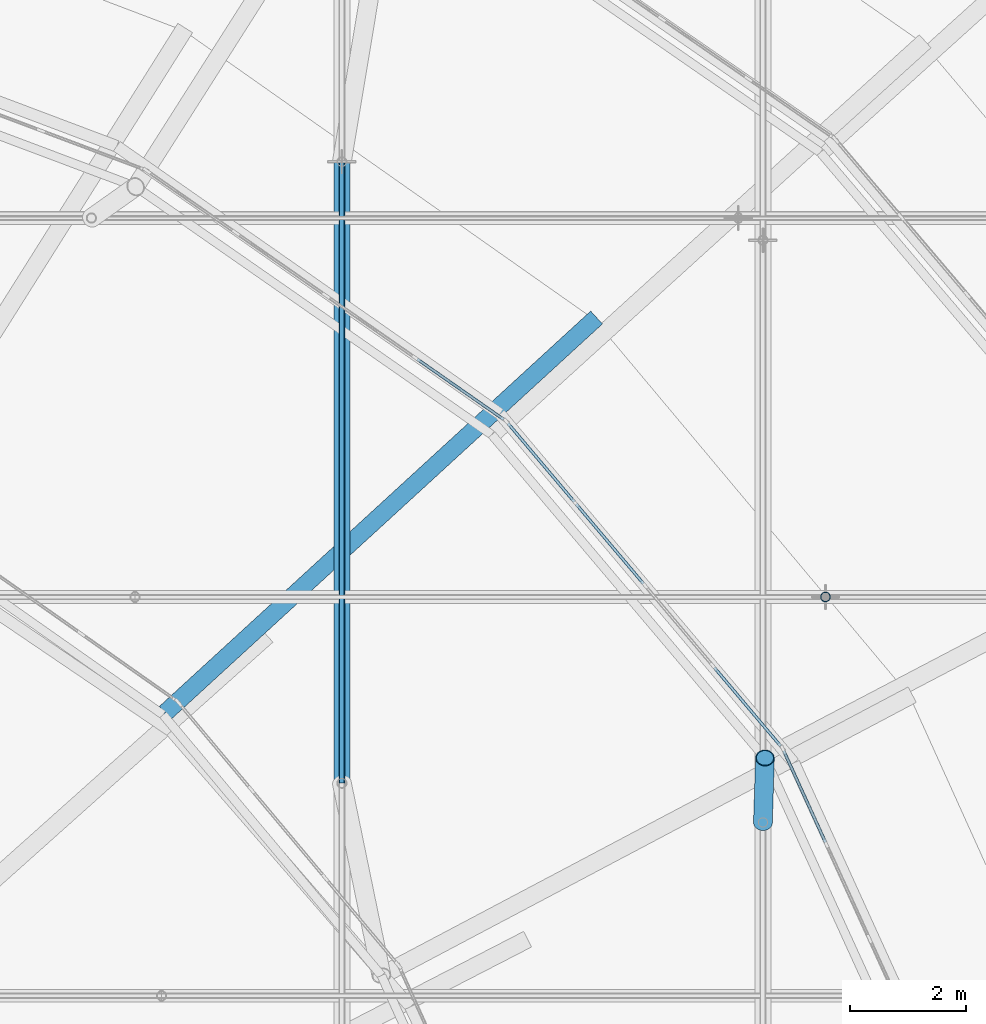
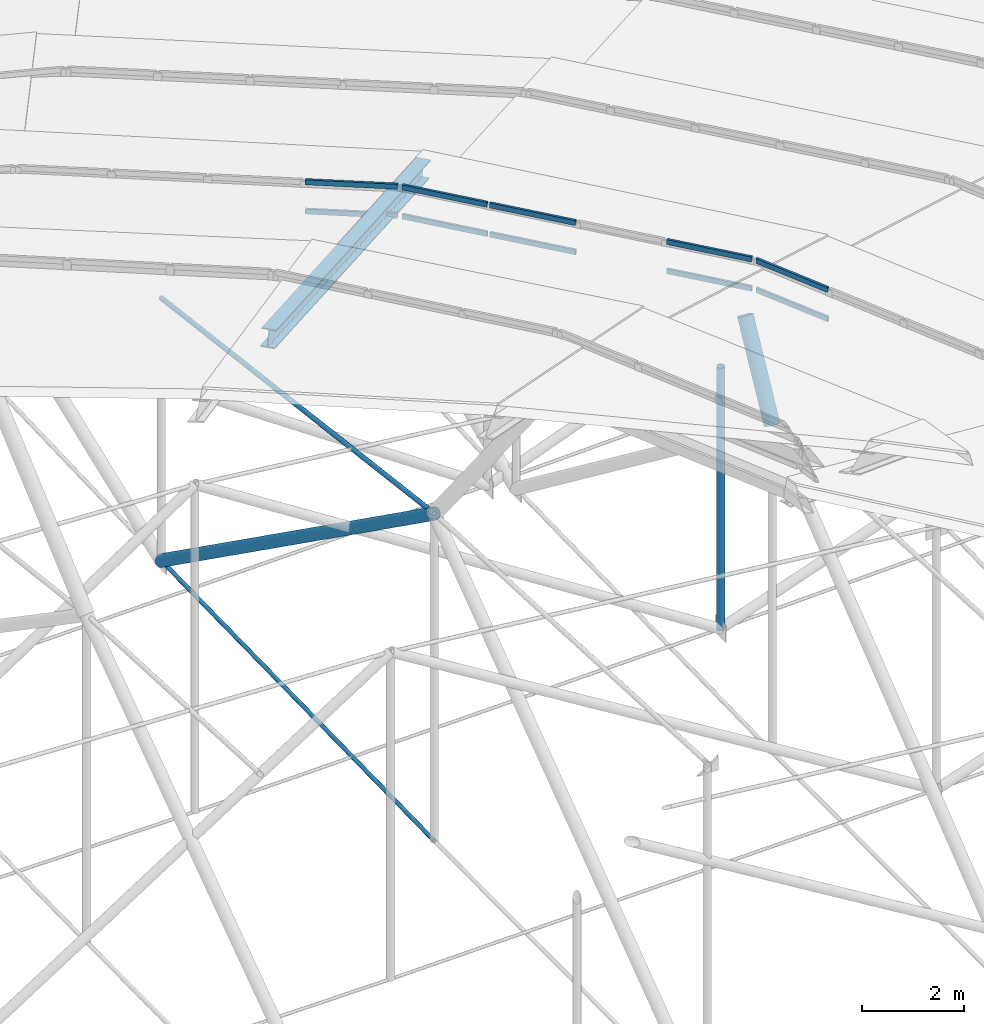
# One storey, part 94 of 173: 16 members, 3 elements without a shape of their own.
"""IFC4 building model written with IfcOpenShell, lengths in metres."""

from ifc_helpers import new_model, si_unit, direction, frame, origin, origin_2d, place, context, subcontext, project, spatial, rectangle, circle, hollow_circle, i_section, extrude, material, material_profile, profile_set, type_object, element, aggregate, save


model = new_model("IFC4")

# Units and contexts
model_context = context("Model", 3, precision=1e-05, world=origin(), true_north=direction((0.0, 1.0)))
body_context = subcontext(model_context, "Body", "Model", "MODEL_VIEW")
ifc_project = project(units=[si_unit("LENGTHUNIT", "METRE"), si_unit("AREAUNIT", "SQUARE_METRE"), si_unit("VOLUMEUNIT", "CUBIC_METRE"), si_unit("PLANEANGLEUNIT", "RADIAN"), si_unit("MASSUNIT", "GRAM", prefix="KILO")], contexts=[model_context])

# Site, building, storey
site_placement = place(None, origin())
site = spatial("IfcSite", under=ifc_project, at=site_placement, CompositionType="ELEMENT")
building_placement = place(site_placement, origin())
building = spatial("IfcBuilding", under=site, at=building_placement, Name="Glasvene Arena", CompositionType="ELEMENT")
storey_placement = place(building_placement, frame((0.0, 0.0, 28.800048828125)))
storey = spatial("IfcBuildingStorey", under=building, at=storey_placement, Name="RF", CompositionType="ELEMENT", Elevation=28.800048828125)

# Curtain wall, members
ifc_material_1 = material(Name="Low-emissivity laminated double glazing", Category="glass")
curtain_wall_type_1 = type_object("IfcCurtainWallType", Name="CW-PET3-721x75", PredefinedType="USERDEFINED", material=ifc_material_1)
curtain_wall_1_placement = place(storey_placement, frame((118.029541015625, 77.739990234375, 0.0)))
curtain_wall_1 = element("IfcCurtainWall", 1, at=curtain_wall_1_placement, inside=storey, type_object=curtain_wall_type_1, Name="Petal ring 3-4 clerestory curtain wall 02", ObjectType="CURTAIN WALL", PredefinedType="USERDEFINED")
ifc_material_2 = material(Name="Anodised architectural aluminium", Category="aluminium")
ifc_material_profile_1 = material_profile(ifc_material_2, rectangle(XDim=0.050048828125, YDim=0.1201171875, at=origin_2d()), Name="ALU TRANSOM 50x120")
ifc_profile_set_1 = profile_set([ifc_material_profile_1], Name="Anodised architectural aluminium")
member_type_1 = type_object("IfcMemberType", Name="CW-TRN-120", PredefinedType="USERDEFINED", material=ifc_profile_set_1)
member_1_placement = place(storey_placement, frame((115.775146484375, 82.6826171875, 7.85498046875), z_axis=(-0.41493129329, 0.909852747344, 0.0), x_axis=(-0.909852747344, -0.41493129329, 0.0)))
member_1 = element("IfcMember", 2, at=member_1_placement, type_object=member_type_1, Name="CW-094 transom 4.1", ObjectType="TRANSOM", PredefinedType="USERDEFINED", context=body_context, shape_type="SweptSolid", body=[
    extrude(rectangle(XDim=0.050048828125, YDim=0.1201171875, at=origin_2d()), origin(), (0.0, 0.0, 1.0), 1.7275390625),
])
member_2_placement = place(storey_placement, frame((115.775146484375, 82.6826171875, 8.554931640625), z_axis=(-0.41493129329, 0.909852747344, 0.0), x_axis=(-0.909852747344, -0.41493129329, 0.0)))
member_2 = element("IfcMember", 3, at=member_2_placement, type_object=member_type_1, Name="CW-094 transom 4.2", ObjectType="TRANSOM", PredefinedType="USERDEFINED", context=body_context, shape_type="SweptSolid", body=[
    extrude(rectangle(XDim=0.050048828125, YDim=0.1201171875, at=origin_2d()), origin(), (0.0, 0.0, 1.0), 1.7275390625),
])
aggregate(curtain_wall_1, [member_1, member_2])

curtain_wall_type_2 = type_object("IfcCurtainWallType", Name="CW-PET3-737x75", PredefinedType="USERDEFINED", material=ifc_material_1)
curtain_wall_2_placement = place(storey_placement, frame((115.03759765625, 84.300048828125, 0.0)))
curtain_wall_2 = element("IfcCurtainWall", 4, at=curtain_wall_2_placement, inside=storey, type_object=curtain_wall_type_2, Name="Petal ring 3-4 clerestory curtain wall 03", ObjectType="CURTAIN WALL", PredefinedType="USERDEFINED")
member_3_placement = place(storey_placement, frame((115.005126953125, 84.338134765625, 7.85498046875), z_axis=(-0.645329428667, 0.763904397485, 0.0), x_axis=(-0.763904397485, -0.645329428667, 0.0)))
member_3 = element("IfcMember", 5, at=member_3_placement, type_object=member_type_1, Name="CW-095 transom 1.1", ObjectType="TRANSOM", PredefinedType="USERDEFINED", context=body_context, shape_type="SweptSolid", body=[
    extrude(rectangle(XDim=0.050048828125, YDim=0.1201171875, at=origin_2d()), origin(), (0.0, 0.0, 1.0), 1.7685546875),
])
member_4_placement = place(storey_placement, frame((115.005126953125, 84.338134765625, 8.554931640625), z_axis=(-0.645329428667, 0.763904397485, 0.0), x_axis=(-0.763904397485, -0.645329428667, 0.0)))
member_4 = element("IfcMember", 6, at=member_4_placement, type_object=member_type_1, Name="CW-095 transom 1.2", ObjectType="TRANSOM", PredefinedType="USERDEFINED", context=body_context, shape_type="SweptSolid", body=[
    extrude(rectangle(XDim=0.050048828125, YDim=0.1201171875, at=origin_2d()), origin(), (0.0, 0.0, 1.0), 1.7685546875),
])
member_5_placement = place(storey_placement, frame((112.6416015625, 87.1357421875, 7.85498046875), z_axis=(-0.645417374568, 0.763830094069, 0.0), x_axis=(-0.763830094069, -0.645417374568, 0.0)))
member_5 = element("IfcMember", 7, at=member_5_placement, type_object=member_type_1, Name="CW-095 transom 3.1", ObjectType="TRANSOM", PredefinedType="USERDEFINED", context=body_context, shape_type="SweptSolid", body=[
    extrude(rectangle(XDim=0.050048828125, YDim=0.1201171875, at=origin_2d()), origin(), (0.0, 0.0, 1.0), 1.793701171875),
])
member_6_placement = place(storey_placement, frame((112.6416015625, 87.1357421875, 8.554931640625), z_axis=(-0.645417374568, 0.763830094069, 0.0), x_axis=(-0.763830094069, -0.645417374568, 0.0)))
member_6 = element("IfcMember", 8, at=member_6_placement, type_object=member_type_1, Name="CW-095 transom 3.2", ObjectType="TRANSOM", PredefinedType="USERDEFINED", context=body_context, shape_type="SweptSolid", body=[
    extrude(rectangle(XDim=0.050048828125, YDim=0.1201171875, at=origin_2d()), origin(), (0.0, 0.0, 1.0), 1.793701171875),
])
member_7_placement = place(storey_placement, frame((111.45166015625, 88.544189453125, 7.85498046875), z_axis=(-0.645478019952, 0.763778846106, 0.0), x_axis=(-0.763778846106, -0.645478019952, 0.0)))
member_7 = element("IfcMember", 9, at=member_7_placement, type_object=member_type_1, Name="CW-095 transom 4.1", ObjectType="TRANSOM", PredefinedType="USERDEFINED", context=body_context, shape_type="SweptSolid", body=[
    extrude(rectangle(XDim=0.050048828125, YDim=0.1201171875, at=origin_2d()), origin(), (0.0, 0.0, 1.0), 1.7685546875),
])
member_8_placement = place(storey_placement, frame((111.45166015625, 88.544189453125, 8.554931640625), z_axis=(-0.645478019952, 0.763778846106, 0.0), x_axis=(-0.763778846106, -0.645478019952, 0.0)))
member_8 = element("IfcMember", 10, at=member_8_placement, type_object=member_type_1, Name="CW-095 transom 4.2", ObjectType="TRANSOM", PredefinedType="USERDEFINED", context=body_context, shape_type="SweptSolid", body=[
    extrude(rectangle(XDim=0.050048828125, YDim=0.1201171875, at=origin_2d()), origin(), (0.0, 0.0, 1.0), 1.7685546875),
])
aggregate(curtain_wall_2, [member_3, member_4, member_5, member_6, member_7, member_8])

curtain_wall_type_3 = type_object("IfcCurtainWallType", Name="CW-PET3-756x75", PredefinedType="USERDEFINED", material=ifc_material_1)
curtain_wall_3_placement = place(storey_placement, frame((110.27783203125, 89.933349609375, 0.0)))
curtain_wall_3 = element("IfcCurtainWall", 11, at=curtain_wall_3_placement, inside=storey, type_object=curtain_wall_type_3, Name="Petal ring 3-4 clerestory curtain wall 04", ObjectType="CURTAIN WALL", PredefinedType="USERDEFINED")
member_9_placement = place(storey_placement, frame((110.23681640625, 89.9619140625, 7.85498046875), z_axis=(-0.82043066746, 0.571746027438, 0.0), x_axis=(-0.571746027438, -0.82043066746, 0.0)))
member_9 = element("IfcMember", 12, at=member_9_placement, type_object=member_type_1, Name="CW-096 transom 1.1", ObjectType="TRANSOM", PredefinedType="USERDEFINED", context=body_context, shape_type="SweptSolid", body=[
    extrude(rectangle(XDim=0.050048828125, YDim=0.1201171875, at=origin_2d()), origin(), (0.0, 0.0, 1.0), 1.815185546875),
])
member_10_placement = place(storey_placement, frame((110.23681640625, 89.9619140625, 8.554931640625), z_axis=(-0.82043066746, 0.571746027438, 0.0), x_axis=(-0.571746027438, -0.82043066746, 0.0)))
member_10 = element("IfcMember", 13, at=member_10_placement, type_object=member_type_1, Name="CW-096 transom 1.2", ObjectType="TRANSOM", PredefinedType="USERDEFINED", context=body_context, shape_type="SweptSolid", body=[
    extrude(rectangle(XDim=0.050048828125, YDim=0.1201171875, at=origin_2d()), origin(), (0.0, 0.0, 1.0), 1.815185546875),
])
aggregate(curtain_wall_3, [member_9, member_10])

# Members
ifc_material_3 = material(Name="High-strength steel spiral strand S460", Category="steel")
ifc_material_profile_2 = material_profile(ifc_material_3, circle(Radius=0.052490234375, at=origin_2d()), Name="LCSS D105")
ifc_profile_set_2 = profile_set([ifc_material_profile_2], Name="High-strength steel spiral strand S460")
member_type_2 = type_object("IfcMemberType", Name="MB-CABLE-105", PredefinedType="USERDEFINED", material=ifc_profile_set_2)
member_11_placement = place(storey_placement, frame((107.45068359375, 83.699462890625, 5.499267578125), z_axis=(0.0, 0.992336291438, -0.123566519313), x_axis=(-1.0, 0.0, 0.0)))
element("IfcMember", 14, at=member_11_placement, inside=storey, type_object=member_type_2, Name="Upper lens roof cable NS03-06", ObjectType="ROOF CABLE", PredefinedType="USERDEFINED", context=body_context, shape_type="SweptSolid", body=[
    extrude(circle(Radius=0.052490234375, at=origin_2d()), origin(), (0.0, 0.0, 1.0), 10.78173828125),
])
ifc_material_profile_3 = material_profile(ifc_material_3, circle(Radius=0.044921875, at=origin_2d()), Name="LCSS D90")
ifc_profile_set_3 = profile_set([ifc_material_profile_3], Name="High-strength steel spiral strand S460")
member_type_3 = type_object("IfcMemberType", Name="MB-CABLE-90", PredefinedType="USERDEFINED", material=ifc_profile_set_3)
member_12_placement = place(storey_placement, frame((107.45068359375, 83.699462890625, -2.328125), z_axis=(0.0, 0.999797075179, 0.020144688239), x_axis=(-1.0, 0.0, 0.0)))
element("IfcMember", 15, at=member_12_placement, inside=storey, type_object=member_type_3, Name="Lower stabilization roof cable NS03-06", ObjectType="ROOF CABLE", PredefinedType="USERDEFINED", context=body_context, shape_type="SweptSolid", body=[
    extrude(circle(Radius=0.044921875, at=origin_2d()), origin(), (0.0, 0.0, 1.0), 10.701416015625),
])
ifc_material_4 = material(Name="Steel S355J2", Category="steel")
ifc_material_profile_4 = material_profile(ifc_material_4, i_section(OverallWidth=0.300048828125, OverallDepth=0.39990234375, WebThickness=0.013427734375, FlangeThickness=0.02392578125, FilletRadius=0.027099609375, at=origin_2d()), Name="HEB 400")
ifc_profile_set_4 = profile_set([ifc_material_profile_4], Name="Steel S355J2")
member_type_4 = type_object("IfcMemberType", Name="MB-CHORD-HEB400", PredefinedType="CHORD", material=ifc_profile_set_4)
member_13_placement = place(storey_placement, frame((111.797607421875, 91.682373046875, 7.39990234375), z_axis=(-0.712930220366, -0.653431456784, 0.254475602317), x_axis=(0.675675229819, -0.737199419295, 0.0)))
element("IfcMember", 16, at=member_13_placement, inside=storey, type_object=member_type_4, Name="Petal ring 4 radial rib 04", PredefinedType="CHORD", context=body_context, shape_type="SweptSolid", body=[
    extrude(i_section(OverallWidth=0.300048828125, OverallDepth=0.39990234375, WebThickness=0.013427734375, FlangeThickness=0.02392578125, FilletRadius=0.027099609375, at=origin_2d()), origin(), (0.0, 0.0, 1.0), 10.4140625),
])
ifc_material_profile_5 = material_profile(ifc_material_4, hollow_circle(Radius=0.161865234375, WallThickness=0.01611328125, at=origin_2d()), Name="CHS 323.9x16.0")
ifc_profile_set_5 = profile_set([ifc_material_profile_5], Name="Steel S355J2")
member_type_5 = type_object("IfcMemberType", Name="MB-POST-CHS324", PredefinedType="BRACE", material=ifc_profile_set_5)
member_14_placement = place(storey_placement, frame((114.699462890625, 83.023681640625, 5.499267578125), z_axis=(0.015659916923, 0.49827008391, 0.866880436094), x_axis=(-0.999506488021, 0.031413061052, 0.0)))
element("IfcMember", 17, at=member_14_placement, inside=storey, type_object=member_type_5, Name="Petal ring 3 ridge support post 03", PredefinedType="BRACE", context=body_context, shape_type="SweptSolid", body=[
    extrude(hollow_circle(Radius=0.161865234375, WallThickness=0.01611328125, at=origin_2d()), origin(), (0.0, 0.0, 1.0), 2.2294921875),
])
ifc_material_profile_6 = material_profile(ifc_material_4, hollow_circle(Radius=0.084228515625, WallThickness=0.008056640625, at=origin_2d()), Name="CHS 168.3x8.0")
ifc_profile_set_6 = profile_set([ifc_material_profile_6], Name="Steel S355J2")
member_type_6 = type_object("IfcMemberType", Name="MB-WEB-CHS168", PredefinedType="BRACE", material=ifc_profile_set_6)
member_15_placement = place(storey_placement, frame((115.7763671875, 86.90576171875, -2.112548828125), z_axis=(0.0, 0.0, 1.0), x_axis=(1.0, 0.0, 0.0)))
element("IfcMember", 18, at=member_15_placement, inside=storey, type_object=member_type_6, Name="Cable-truss vertical strut EW06-06", PredefinedType="BRACE", context=body_context, shape_type="SweptSolid", body=[
    extrude(hollow_circle(Radius=0.084228515625, WallThickness=0.008056640625, at=origin_2d()), origin(), (0.0, 0.0, 1.0), 6.279541015625),
])
ifc_material_profile_7 = material_profile(ifc_material_4, hollow_circle(Radius=0.136474609375, WallThickness=0.012451171875, at=origin_2d()), Name="CHS 273.0x12.5")
ifc_profile_set_7 = profile_set([ifc_material_profile_7], Name="Steel S355J2")
member_type_7 = type_object("IfcMemberType", Name="MB-WEB-CHS273", PredefinedType="BRACE", material=ifc_profile_set_7)
member_16_placement = place(storey_placement, frame((107.45068359375, 83.699462890625, 5.499267578125), z_axis=(0.0, 0.814830025282, -0.579699948162), x_axis=(-1.0, 0.0, 0.0)))
element("IfcMember", 19, at=member_16_placement, inside=storey, type_object=member_type_7, Name="Cable-truss diagonal web strut NS03-06", PredefinedType="BRACE", context=body_context, shape_type="SweptSolid", body=[
    extrude(hollow_circle(Radius=0.136474609375, WallThickness=0.012451171875, at=origin_2d()), origin(), (0.0, 0.0, 1.0), 13.130615234375),
])

save(model, "model.ifc")
